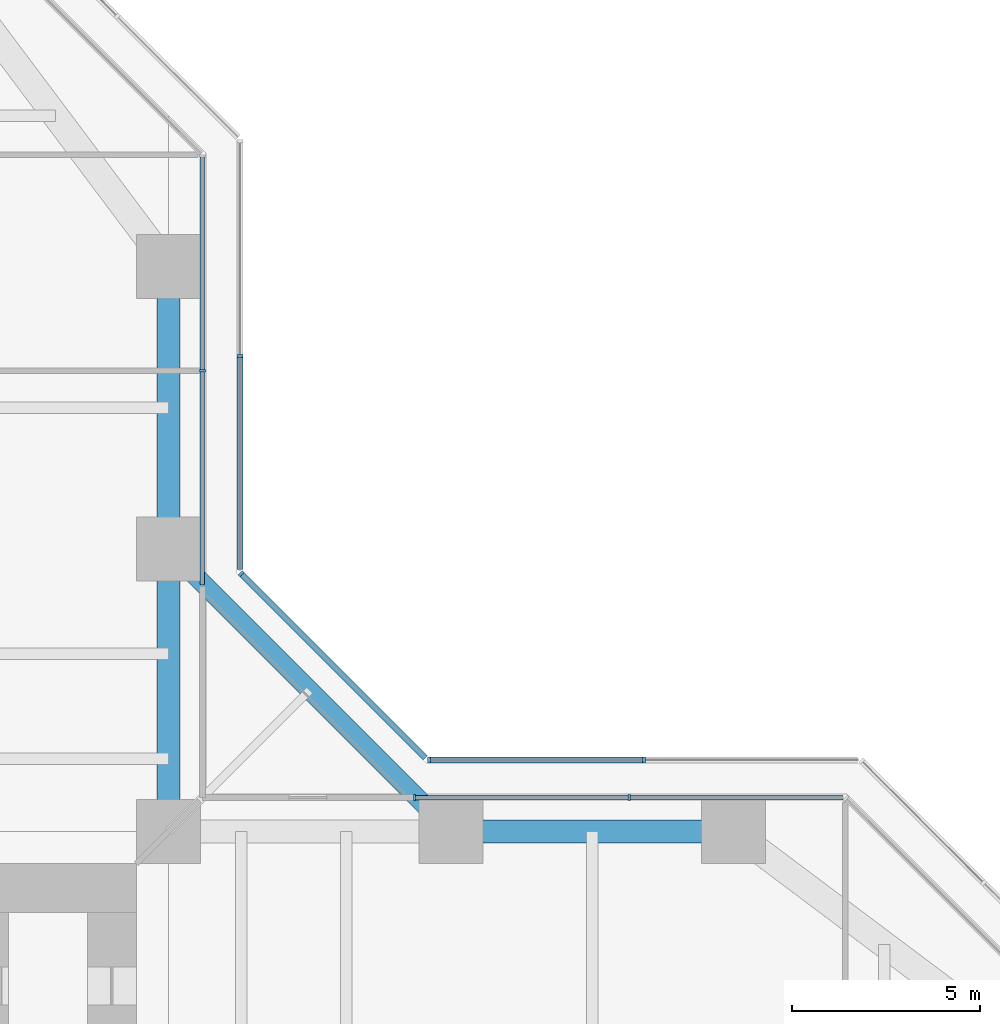
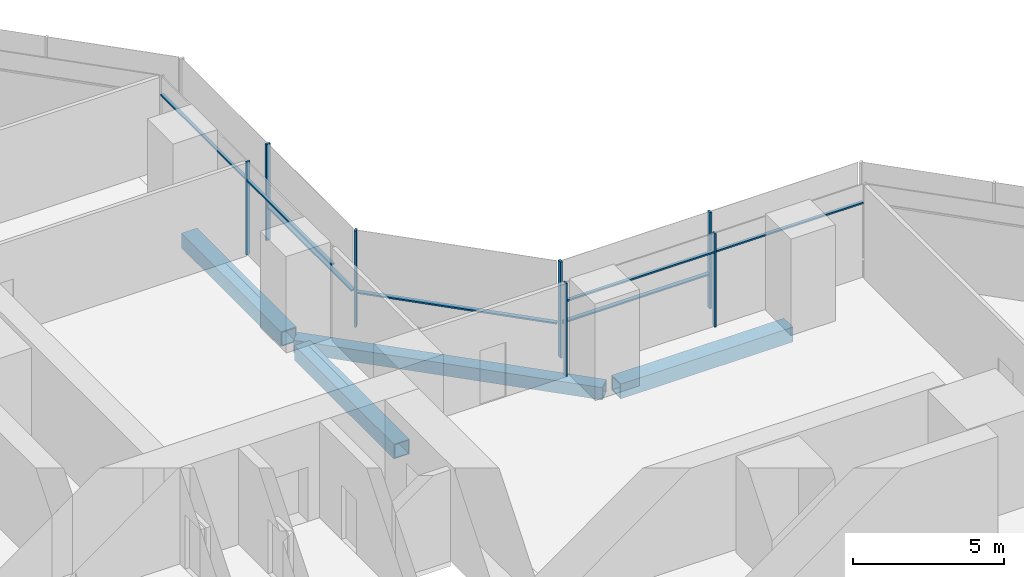
# One storey, part 11 of 22: 14 members, 4 beams, 5 elements without a shape of their own.
"""IFC4 building model written with IfcOpenShell, lengths in metres."""

from ifc_helpers import new_model, si_unit, direction, frame, origin, origin_2d, place, context, subcontext, project, spatial, rectangle, hollow_rectangle, extrude, material, material_profile, profile_set, type_object, element, aggregate, save


model = new_model("IFC4")

# Units and contexts
model_context = context("Model", 3, precision=1e-05, world=origin(), true_north=direction((0.0, 1.0)))
body_context = subcontext(model_context, "Body", "Model", "MODEL_VIEW")
ifc_project = project(units=[si_unit("LENGTHUNIT", "METRE"), si_unit("AREAUNIT", "SQUARE_METRE"), si_unit("VOLUMEUNIT", "CUBIC_METRE"), si_unit("PLANEANGLEUNIT", "RADIAN"), si_unit("MASSUNIT", "GRAM", prefix="KILO")], contexts=[model_context])

# Site, building, storey
site_placement = place(None, origin())
site = spatial("IfcSite", under=ifc_project, at=site_placement, CompositionType="ELEMENT")
building_placement = place(site_placement, origin())
building = spatial("IfcBuilding", under=site, at=building_placement, Name="Mizan Broadcast Tower", CompositionType="ELEMENT")
storey_placement = place(building_placement, frame((0.0, 0.0, 43.5)))
storey = spatial("IfcBuildingStorey", under=building, at=storey_placement, Name="L07", CompositionType="ELEMENT", Elevation=43.5)

# Beams
ifc_material_1 = material(Name="Steel S355", Category="steel")
ifc_material_profile_1 = material_profile(ifc_material_1, hollow_rectangle(XDim=0.5, YDim=0.5, WallThickness=0.030029296875, at=origin_2d()), Name="BOX 500x500x30")
ifc_profile_set_1 = profile_set([ifc_material_profile_1], Name="Steel S355")
beam_type_1 = type_object("IfcBeamType", Name="EDGE BEAM BOX 500x500x30", PredefinedType="SPANDREL", material=ifc_profile_set_1)
beam_placement = place(storey_placement, frame((19.5, 12.0, -0.3798828125), z_axis=(-0.707106781187, 0.707106781187, 0.0), x_axis=(-0.707106781187, -0.707106781187, 0.0)))
element("IfcBeam", 1, at=beam_placement, inside=storey, type_object=beam_type_1, Name="Winter garden edge beam L07 E", PredefinedType="SPANDREL", context=body_context, shape_type="SweptSolid", body=[
    extrude(hollow_rectangle(XDim=0.5, YDim=0.5, WallThickness=0.030029296875, at=origin_2d()), origin(), (0.0, 0.0, 1.0), 10.606689453125),
])
ifc_material_2 = material(Name="Steel S355", Category="steel")
ifc_material_profile_2 = material_profile(ifc_material_2, hollow_rectangle(XDim=0.60009765625, YDim=0.60009765625, WallThickness=0.0400390625, at=origin_2d()), Name="BOX 600x600x40")
ifc_profile_set_2 = profile_set([ifc_material_profile_2], Name="Steel S355")
beam_type_2 = type_object("IfcBeamType", Name="EDGE BEAM BOX 600x600x40", PredefinedType="SPANDREL", material=ifc_profile_set_2)
for number, where, z_axis, x_axis, name in (
    (2, (19.949951171875, 12.0, -0.429931640625), (1.0, 0.0, 0.0), (0.0, 1.0, 0.0), "Edge beam BOX 600x600x40 L07 east arm"),
    (3, (12.0, 12.449951171875, -0.429931640625), (0.0, 1.0, 0.0), (-1.0, 0.0, 0.0), "Edge beam BOX 600x600x40 L07 north arm"),
    (4, (12.0, 19.949951171875, -0.429931640625), (0.0, 1.0, 0.0), (-1.0, 0.0, 0.0), "Edge beam BOX 600x600x40 L07 north arm"),
):
    element("IfcBeam", number, at=place(storey_placement, frame(where, z_axis=z_axis, x_axis=x_axis)), inside=storey, type_object=beam_type_2, Name=name, PredefinedType="SPANDREL", context=body_context, shape_type="SweptSolid", body=[
        extrude(hollow_rectangle(XDim=0.60009765625, YDim=0.60009765625, WallThickness=0.0400390625, at=origin_2d()), origin(), (0.0, 0.0, 1.0), 6.60009765625),
    ])

# Curtain wall, members
ifc_material_3 = material(Name="Aluminium framed glazing", Category="aluminium")
curtain_wall_type_1 = type_object("IfcCurtainWallType", Name="INNER SKIN LOW ZONE", PredefinedType="USERDEFINED", material=ifc_material_3)
curtain_wall_1_placement = place(storey_placement, origin())
curtain_wall_1 = element("IfcCurtainWall", 5, at=curtain_wall_1_placement, inside=storey, type_object=curtain_wall_type_1, Name="Inner skin low zone L07 E side", ObjectType="INNER SKIN LOW ZONE", PredefinedType="USERDEFINED")
ifc_material_4 = material(Name="Aluminium, pale anodised", Category="aluminium")
ifc_material_profile_3 = material_profile(ifc_material_4, rectangle(XDim=0.159912109375, YDim=0.06005859375, at=origin_2d()), Name="MULLION 160x60")
ifc_profile_set_3 = profile_set([ifc_material_profile_3], Name="Aluminium, pale anodised")
member_type_1 = type_object("IfcMemberType", Name="INNER SKIN MULLION 60x160", PredefinedType="MULLION", material=ifc_profile_set_3)
member_1_placement = place(storey_placement, frame((24.229248046875, 12.89990234375, 0.0), z_axis=(0.0, 0.0, 1.0), x_axis=(0.0, -1.0, 0.0)))
member_1 = element("IfcMember", 6, at=member_1_placement, type_object=member_type_1, Name="Inner skin low zone L07 E side mullion 2", PredefinedType="MULLION", context=body_context, shape_type="SweptSolid", body=[
    extrude(rectangle(XDim=0.159912109375, YDim=0.06005859375, at=origin_2d()), origin(), (0.0, 0.0, 1.0), 3.77001953125),
])
member_2_placement = place(storey_placement, frame((18.530029296875, 12.89990234375, 0.0), z_axis=(0.0, 0.0, 1.0), x_axis=(0.0, -1.0, 0.0)))
member_2 = element("IfcMember", 7, at=member_2_placement, type_object=member_type_1, Name="Inner skin low zone L07 E side mullion 3", PredefinedType="MULLION", context=body_context, shape_type="SweptSolid", body=[
    extrude(rectangle(XDim=0.159912109375, YDim=0.06005859375, at=origin_2d()), origin(), (0.0, 0.0, 1.0), 3.77001953125),
])

# Curtain wall, member
curtain_wall_2_placement = place(storey_placement, origin())
curtain_wall_2 = element("IfcCurtainWall", 8, at=curtain_wall_2_placement, inside=storey, type_object=curtain_wall_type_1, Name="Inner skin low zone L07 N side", ObjectType="INNER SKIN LOW ZONE", PredefinedType="USERDEFINED")
member_3_placement = place(storey_placement, frame((12.89990234375, 24.229248046875, 0.0), z_axis=(0.0, 0.0, 1.0), x_axis=(-1.0, 0.0, 0.0)))
member_3 = element("IfcMember", 9, at=member_3_placement, type_object=member_type_1, Name="Inner skin low zone L07 N side mullion 2", PredefinedType="MULLION", context=body_context, shape_type="SweptSolid", body=[
    extrude(rectangle(XDim=0.159912109375, YDim=0.06005859375, at=origin_2d()), origin(), (0.0, 0.0, 1.0), 3.77001953125),
])

# Member
ifc_material_5 = material(Name="Aluminium, pale anodised", Category="aluminium")
ifc_material_profile_4 = material_profile(ifc_material_5, rectangle(XDim=0.1201171875, YDim=0.06005859375, at=origin_2d()), Name="TRANSOM 120x60")
ifc_profile_set_4 = profile_set([ifc_material_profile_4], Name="Aluminium, pale anodised")
member_type_2 = type_object("IfcMemberType", Name="INNER SKIN TRANSOM 60x120", PredefinedType="USERDEFINED", material=ifc_profile_set_4)
member_4_placement = place(storey_placement, frame((29.898681640625, 12.89990234375, 3.030029296875), z_axis=(-1.0, 0.0, 0.0), x_axis=(0.0, -1.0, 0.0)))
member_4 = element("IfcMember", 10, at=member_4_placement, type_object=member_type_2, Name="Inner skin low zone L07 E side transom 1.1", ObjectType="TRANSOM", PredefinedType="USERDEFINED", context=body_context, shape_type="SweptSolid", body=[
    extrude(rectangle(XDim=0.1201171875, YDim=0.06005859375, at=origin_2d()), origin(), (0.0, 0.0, 1.0), 5.639404296875),
])

member_5_placement = place(storey_placement, frame((24.19921875, 12.89990234375, 3.030029296875), z_axis=(-1.0, 0.0, 0.0), x_axis=(0.0, -1.0, 0.0)))
member_5 = element("IfcMember", 11, at=member_5_placement, type_object=member_type_2, Name="Inner skin low zone L07 E side transom 2.1", ObjectType="TRANSOM", PredefinedType="USERDEFINED", context=body_context, shape_type="SweptSolid", body=[
    extrude(rectangle(XDim=0.1201171875, YDim=0.06005859375, at=origin_2d()), origin(), (0.0, 0.0, 1.0), 5.63916015625),
])

aggregate(curtain_wall_1, [member_1, member_2, member_4, member_5])

member_6_placement = place(storey_placement, frame((12.89990234375, 18.56005859375, 3.030029296875), z_axis=(0.0, 1.0, 0.0), x_axis=(-1.0, 0.0, 0.0)))
member_6 = element("IfcMember", 12, at=member_6_placement, type_object=member_type_2, Name="Inner skin low zone L07 N side transom 1.1", ObjectType="TRANSOM", PredefinedType="USERDEFINED", context=body_context, shape_type="SweptSolid", body=[
    extrude(rectangle(XDim=0.1201171875, YDim=0.06005859375, at=origin_2d()), origin(), (0.0, 0.0, 1.0), 5.63916015625),
])

member_7_placement = place(storey_placement, frame((12.89990234375, 24.25927734375, 3.030029296875), z_axis=(0.0, 1.0, 0.0), x_axis=(-1.0, 0.0, 0.0)))
member_7 = element("IfcMember", 13, at=member_7_placement, type_object=member_type_2, Name="Inner skin low zone L07 N side transom 2.1", ObjectType="TRANSOM", PredefinedType="USERDEFINED", context=body_context, shape_type="SweptSolid", body=[
    extrude(rectangle(XDim=0.1201171875, YDim=0.06005859375, at=origin_2d()), origin(), (0.0, 0.0, 1.0), 5.639404296875),
])

aggregate(curtain_wall_2, [member_3, member_6, member_7])

# Curtain wall, members
ifc_material_6 = material(Name="Aluminium framed glazing", Category="aluminium")
curtain_wall_type_2 = type_object("IfcCurtainWallType", Name="OUTER SKIN", PredefinedType="USERDEFINED", material=ifc_material_6)
curtain_wall_3_placement = place(storey_placement, origin())
curtain_wall_3 = element("IfcCurtainWall", 14, at=curtain_wall_3_placement, inside=storey, type_object=curtain_wall_type_2, Name="Outer skin L07 E side", ObjectType="OUTER SKIN", PredefinedType="USERDEFINED")
ifc_material_7 = material(Name="Aluminium, pale anodised", Category="aluminium")
ifc_material_profile_5 = material_profile(ifc_material_7, rectangle(XDim=0.159912109375, YDim=0.080078125, at=origin_2d()), Name="MULLION 160x80")
ifc_profile_set_5 = profile_set([ifc_material_profile_5], Name="Aluminium, pale anodised")
member_type_3 = type_object("IfcMemberType", Name="OUTER SKIN MULLION 80x160", PredefinedType="MULLION", material=ifc_profile_set_5)
member_8_placement = place(storey_placement, frame((24.622802734375, 13.89990234375, 0.0), z_axis=(0.0, 0.0, 1.0), x_axis=(0.0, -1.0, 0.0)))
member_8 = element("IfcMember", 15, at=member_8_placement, type_object=member_type_3, Name="Outer skin L07 E side mullion 2", PredefinedType="MULLION", context=body_context, shape_type="SweptSolid", body=[
    extrude(rectangle(XDim=0.159912109375, YDim=0.080078125, at=origin_2d()), origin(), (0.0, 0.0, 1.0), 3.89990234375),
])
member_9_placement = place(storey_placement, frame((18.912841796875, 13.89990234375, 0.0), z_axis=(0.0, 0.0, 1.0), x_axis=(0.0, -1.0, 0.0)))
member_9 = element("IfcMember", 16, at=member_9_placement, type_object=member_type_3, Name="Outer skin L07 E side mullion 3", PredefinedType="MULLION", context=body_context, shape_type="SweptSolid", body=[
    extrude(rectangle(XDim=0.159912109375, YDim=0.080078125, at=origin_2d()), origin(), (0.0, 0.0, 1.0), 3.89990234375),
])

# Curtain wall, member
curtain_wall_4_placement = place(storey_placement, origin())
curtain_wall_4 = element("IfcCurtainWall", 17, at=curtain_wall_4_placement, inside=storey, type_object=curtain_wall_type_2, Name="Outer skin L07 E chamfer", ObjectType="OUTER SKIN", PredefinedType="USERDEFINED")
member_10_placement = place(storey_placement, frame((13.92822265625, 18.844482421875, 0.0), z_axis=(0.0, 0.0, 1.0), x_axis=(-0.707106781187, -0.707106781187, 0.0)))
member_10 = element("IfcMember", 18, at=member_10_placement, type_object=member_type_3, Name="Outer skin L07 E chamfer mullion 2", PredefinedType="MULLION", context=body_context, shape_type="SweptSolid", body=[
    extrude(rectangle(XDim=0.159912109375, YDim=0.080078125, at=origin_2d()), origin(), (0.0, 0.0, 1.0), 3.89990234375),
])

curtain_wall_5_placement = place(storey_placement, origin())
curtain_wall_5 = element("IfcCurtainWall", 19, at=curtain_wall_5_placement, inside=storey, type_object=curtain_wall_type_2, Name="Outer skin L07 N side", ObjectType="OUTER SKIN", PredefinedType="USERDEFINED")
member_11_placement = place(storey_placement, frame((13.89990234375, 24.622802734375, 0.0), z_axis=(0.0, 0.0, 1.0), x_axis=(-1.0, 0.0, 0.0)))
member_11 = element("IfcMember", 20, at=member_11_placement, type_object=member_type_3, Name="Outer skin L07 N side mullion 2", PredefinedType="MULLION", context=body_context, shape_type="SweptSolid", body=[
    extrude(rectangle(XDim=0.159912109375, YDim=0.080078125, at=origin_2d()), origin(), (0.0, 0.0, 1.0), 3.89990234375),
])

# Member
ifc_material_8 = material(Name="Aluminium, pale anodised", Category="aluminium")
ifc_material_profile_6 = material_profile(ifc_material_8, rectangle(XDim=0.159912109375, YDim=0.06005859375, at=origin_2d()), Name="TRANSOM 160x60")
ifc_profile_set_6 = profile_set([ifc_material_profile_6], Name="Aluminium, pale anodised")
member_type_4 = type_object("IfcMemberType", Name="OUTER SKIN TRANSOM 60x160", PredefinedType="USERDEFINED", material=ifc_profile_set_6)
member_12_placement = place(storey_placement, frame((24.582763671875, 13.89990234375, 1.39990234375), z_axis=(-1.0, 0.0, 0.0), x_axis=(0.0, -1.0, 0.0)))
member_12 = element("IfcMember", 21, at=member_12_placement, type_object=member_type_4, Name="Outer skin L07 E side transom 2.1", ObjectType="TRANSOM", PredefinedType="USERDEFINED", context=body_context, shape_type="SweptSolid", body=[
    extrude(rectangle(XDim=0.159912109375, YDim=0.06005859375, at=origin_2d()), origin(), (0.0, 0.0, 1.0), 5.6298828125),
])

aggregate(curtain_wall_3, [member_8, member_9, member_12])

member_13_placement = place(storey_placement, frame((18.816162109375, 13.95654296875, 1.39990234375), z_axis=(-0.707106781187, 0.707106781187, 0.0), x_axis=(-0.707106781187, -0.707106781187, 0.0)))
member_13 = element("IfcMember", 22, at=member_13_placement, type_object=member_type_4, Name="Outer skin L07 E chamfer transom 1.1", ObjectType="TRANSOM", PredefinedType="USERDEFINED", context=body_context, shape_type="SweptSolid", body=[
    extrude(rectangle(XDim=0.159912109375, YDim=0.06005859375, at=origin_2d()), origin(), (0.0, 0.0, 1.0), 6.87255859375),
])

aggregate(curtain_wall_4, [member_10, member_13])

member_14_placement = place(storey_placement, frame((13.89990234375, 18.952880859375, 1.39990234375), z_axis=(0.0, 1.0, 0.0), x_axis=(-1.0, 0.0, 0.0)))
member_14 = element("IfcMember", 23, at=member_14_placement, type_object=member_type_4, Name="Outer skin L07 N side transom 1.1", ObjectType="TRANSOM", PredefinedType="USERDEFINED", context=body_context, shape_type="SweptSolid", body=[
    extrude(rectangle(XDim=0.159912109375, YDim=0.06005859375, at=origin_2d()), origin(), (0.0, 0.0, 1.0), 5.6298828125),
])

aggregate(curtain_wall_5, [member_11, member_14])

save(model, "model.ifc")
